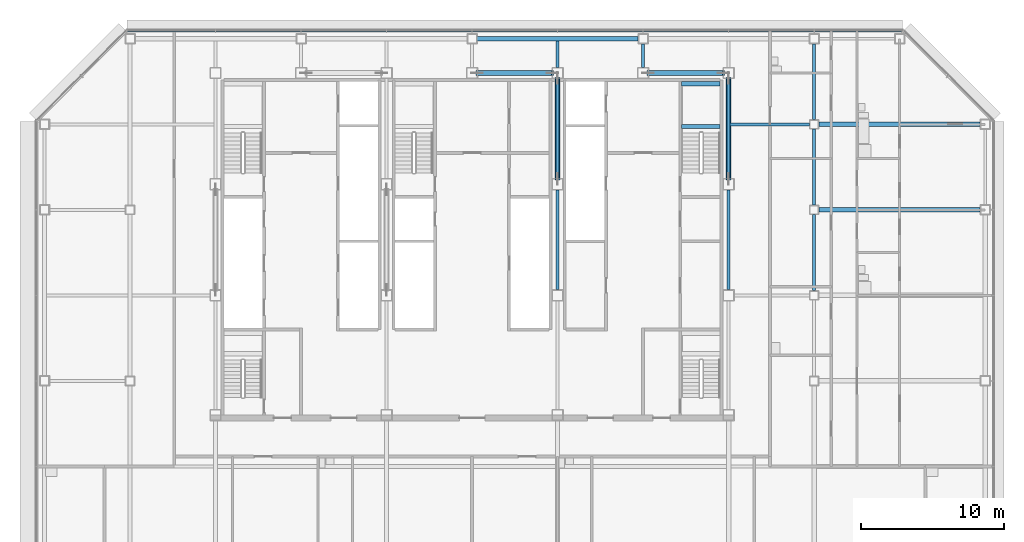
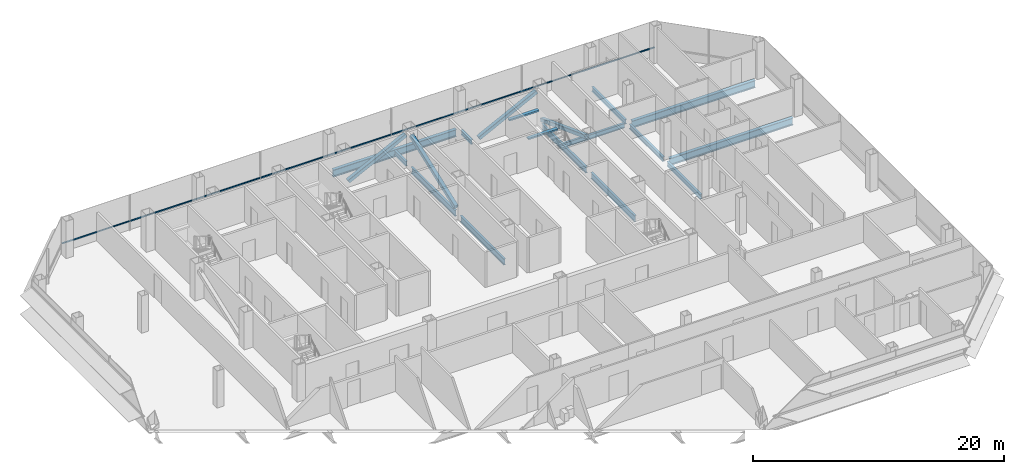
# One storey, part 13 of 26: 15 beams, 5 members, 1 element without a shape of its own.
"""IFC4 building model written with IfcOpenShell, lengths in metres."""

from ifc_helpers import new_model, si_unit, direction, frame, origin, origin_2d, place, context, subcontext, project, spatial, rectangle, hollow_rectangle, i_section, extrude, material, material_profile, profile_set, type_object, element, aggregate, save


model = new_model("IFC4")

# Units and contexts
model_context = context("Model", 3, precision=1e-05, world=origin(), true_north=direction((0.0, 1.0)))
body_context = subcontext(model_context, "Body", "Model", "MODEL_VIEW")
ifc_project = project(units=[si_unit("LENGTHUNIT", "METRE"), si_unit("AREAUNIT", "SQUARE_METRE"), si_unit("VOLUMEUNIT", "CUBIC_METRE"), si_unit("PLANEANGLEUNIT", "RADIAN"), si_unit("MASSUNIT", "GRAM", prefix="KILO")], contexts=[model_context])

# Site, building, storey
site_placement = place(None, origin())
site = spatial("IfcSite", under=ifc_project, at=site_placement, CompositionType="ELEMENT")
building_placement = place(site_placement, origin())
building = spatial("IfcBuilding", under=site, at=building_placement, Name="Sorahane Residences", CompositionType="ELEMENT")
storey_placement = place(building_placement, frame((0.0, 0.0, 151.0)))
storey = spatial("IfcBuildingStorey", under=building, at=storey_placement, Name="L34", CompositionType="ELEMENT", Elevation=151.0)

# Members
ifc_material_1 = material(Name="Steel Q355B", Category="steel")
ifc_material_profile_1 = material_profile(ifc_material_1, hollow_rectangle(XDim=0.35009765625, YDim=0.35009765625, WallThickness=0.01806640625, InnerFilletRadius=0.009033203125, OuterFilletRadius=0.027099609375, at=origin_2d()), Name="RHS 350x350x18")
ifc_profile_set_1 = profile_set([ifc_material_profile_1], Name="Steel Q355B")
member_type_1 = type_object("IfcMemberType", Name="Core brace RHS 350x350x18 Q355B", PredefinedType="BRACE", material=ifc_profile_set_1)
for number, where, z_axis, x_axis, name in (
    (1, (24.352783203125, 45.60009765625, 0.151123046875), (0.893039246852, 0.0, 0.449978781258), (0.0, 1.0, 0.0), "Core brace L34 y45.6-4"),
    (2, (36.352783203125, 45.60009765625, 0.151123046875), (0.893039246852, 0.0, 0.449978781258), (0.0, 1.0, 0.0), "Core brace L34 y45.6-6"),
):
    element("IfcMember", number, at=place(storey_placement, frame(where, z_axis=z_axis, x_axis=x_axis)), inside=storey, type_object=member_type_1, Name=name, PredefinedType="BRACE", context=body_context, shape_type="SweptSolid", body=[
        extrude(hollow_rectangle(XDim=0.35009765625, YDim=0.35009765625, WallThickness=0.01806640625, InnerFilletRadius=0.009033203125, OuterFilletRadius=0.027099609375, at=origin_2d()), origin(), (0.0, 0.0, 1.0), 5.928466796875),
    ])
for number, where, z_axis, x_axis, name in (
    (3, (42.0, 45.23681640625, 0.1611328125), (0.0, -0.93654419724, 0.350549520918), (1.0, 0.0, 0.0), "Core brace L34 x42-3"),
    (4, (30.0, 38.1630859375, 0.1611328125), (0.0, 0.93654419724, 0.350549520918), (-1.0, 0.0, 0.0), "Core brace L34 x30-2"),
):
    element("IfcMember", number, at=place(storey_placement, frame(where, z_axis=z_axis, x_axis=x_axis)), inside=storey, type_object=member_type_1, Name=name, PredefinedType="BRACE", context=body_context, shape_type="SweptSolid", body=[
        extrude(hollow_rectangle(XDim=0.35009765625, YDim=0.35009765625, WallThickness=0.01806640625, InnerFilletRadius=0.009033203125, OuterFilletRadius=0.027099609375, at=origin_2d()), origin(), (0.0, 0.0, 1.0), 7.552978515625),
    ])

# Curtain wall, member
ifc_material_2 = material(Name="Dark low-e glass and black anodised aluminium", Category="aluminium")
curtain_wall_type = type_object("IfcCurtainWallType", Name="Curtain wall CW-1 Typical unitised wall", PredefinedType="NOTDEFINED", material=ifc_material_2)
curtain_wall_placement = place(storey_placement, origin())
curtain_wall = element("IfcCurtainWall", 5, at=curtain_wall_placement, inside=storey, type_object=curtain_wall_type, Name="CW-1 curtain wall L34 N1", PredefinedType="NOTDEFINED")
ifc_material_3 = material(Name="Black anodised aluminium", Category="aluminium")
ifc_material_profile_2 = material_profile(ifc_material_3, rectangle(XDim=0.10009765625, YDim=0.06005859375, at=origin_2d()), Name="Curtain wall transom CW-1 black anodised aluminium 60x100")
ifc_profile_set_2 = profile_set([ifc_material_profile_2], Name="Black anodised aluminium")
member_type_2 = type_object("IfcMemberType", Name="Curtain wall transom CW-1 black anodised aluminium 60x100", PredefinedType="USERDEFINED", material=ifc_profile_set_2)
member_placement = place(storey_placement, frame((54.198486328125, 48.530029296875, 0.89990234375), z_axis=(-1.0, 0.0, 0.0), x_axis=(0.0, -1.0, 0.0)))
member = element("IfcMember", 6, at=member_placement, type_object=member_type_2, Name="CW-1 transom L34 N1", ObjectType="TRANSOM", PredefinedType="USERDEFINED", context=body_context, shape_type="SweptSolid", body=[
    extrude(rectangle(XDim=0.10009765625, YDim=0.06005859375, at=origin_2d()), origin(), (0.0, 0.0, 1.0), 54.39697265625),
])
aggregate(curtain_wall, [member])

# Beams
ifc_material_4 = material(Name="Concrete C40", Category="concrete")
ifc_material_profile_3 = material_profile(ifc_material_4, rectangle(XDim=0.300048828125, YDim=0.139892578125, at=origin_2d()), Name="300x140")
ifc_profile_set_3 = profile_set([ifc_material_profile_3], Name="Concrete C40")
beam_type_1 = type_object("IfcBeamType", Name="RC landing beam 300 x 140 Concrete C40", PredefinedType="BEAM", material=ifc_profile_set_3)
for number, where, z_axis, x_axis, name in (
    (7, (38.699951171875, 41.85009765625, 1.530029296875), (1.0, 0.0, 0.0), (0.0, 1.0, 0.0), "Landing beam"),
    (8, (38.699951171875, 44.85009765625, 1.530029296875), (1.0, 0.0, 0.0), (0.0, 1.0, 0.0), "Landing beam"),
):
    element("IfcBeam", number, at=place(storey_placement, frame(where, z_axis=z_axis, x_axis=x_axis)), inside=storey, type_object=beam_type_1, Name=name, PredefinedType="BEAM", context=body_context, shape_type="SweptSolid", body=[
        extrude(rectangle(XDim=0.300048828125, YDim=0.139892578125, at=origin_2d()), origin(), (0.0, 0.0, 1.0), 2.699951171875),
    ])
ifc_material_5 = material(Name="Steel Q355B", Category="steel")
ifc_material_profile_4 = material_profile(ifc_material_5, i_section(OverallWidth=0.199951171875, OverallDepth=0.449951171875, WebThickness=0.009033203125, FlangeThickness=0.013916015625, FilletRadius=0.02001953125, at=origin_2d()), Name="HN 450x200x9x14")
ifc_profile_set_4 = profile_set([ifc_material_profile_4], Name="Steel Q355B")
beam_type_2 = type_object("IfcBeamType", Name="Steel floor beam HN 450x200x9x14 Q355B", PredefinedType="BEAM", material=ifc_profile_set_4)
beam_1_placement = place(storey_placement, frame((30.0, 46.0, -0.405029296875), z_axis=(0.0, 1.0, 0.0), x_axis=(-1.0, 0.0, 0.0)))
element("IfcBeam", 9, at=beam_1_placement, inside=storey, type_object=beam_type_2, Name="Beam L34 049", PredefinedType="BEAM", context=body_context, shape_type="SweptSolid", body=[
    extrude(i_section(OverallWidth=0.199951171875, OverallDepth=0.449951171875, WebThickness=0.009033203125, FlangeThickness=0.013916015625, FilletRadius=0.02001953125, at=origin_2d()), origin(), (0.0, 0.0, 1.0), 1.85009765625),
])
beam_2_placement = place(storey_placement, frame((36.0, 46.0, -0.405029296875), z_axis=(0.0, 1.0, 0.0), x_axis=(-1.0, 0.0, 0.0)))
element("IfcBeam", 10, at=beam_2_placement, inside=storey, type_object=beam_type_2, Name="Beam L34 051", PredefinedType="BEAM", context=body_context, shape_type="SweptSolid", body=[
    extrude(i_section(OverallWidth=0.199951171875, OverallDepth=0.449951171875, WebThickness=0.009033203125, FlangeThickness=0.013916015625, FilletRadius=0.02001953125, at=origin_2d()), origin(), (0.0, 0.0, 1.0), 1.64990234375),
])
for number, where, z_axis, x_axis, name in (
    (11, (48.0, 30.324951171875, -0.405029296875), (0.0, 1.0, 0.0), (-1.0, 0.0, 0.0), "Beam L34 061"),
    (12, (48.0, 36.324951171875, -0.405029296875), (0.0, 1.0, 0.0), (-1.0, 0.0, 0.0), "Beam L34 062"),
):
    element("IfcBeam", number, at=place(storey_placement, frame(where, z_axis=z_axis, x_axis=x_axis)), inside=storey, type_object=beam_type_2, Name=name, PredefinedType="BEAM", context=body_context, shape_type="SweptSolid", body=[
        extrude(i_section(OverallWidth=0.199951171875, OverallDepth=0.449951171875, WebThickness=0.009033203125, FlangeThickness=0.013916015625, FilletRadius=0.02001953125, at=origin_2d()), origin(), (0.0, 0.0, 1.0), 5.35009765625),
    ])
beam_3_placement = place(storey_placement, frame((48.0, 42.324951171875, -0.405029296875), z_axis=(0.0, 1.0, 0.0), x_axis=(-1.0, 0.0, 0.0)))
element("IfcBeam", 13, at=beam_3_placement, inside=storey, type_object=beam_type_2, Name="Beam L34 063", PredefinedType="BEAM", context=body_context, shape_type="SweptSolid", body=[
    extrude(i_section(OverallWidth=0.199951171875, OverallDepth=0.449951171875, WebThickness=0.009033203125, FlangeThickness=0.013916015625, FilletRadius=0.02001953125, at=origin_2d()), origin(), (0.0, 0.0, 1.0), 5.324951171875),
])
beam_4_placement = place(storey_placement, frame((42.10009765625, 42.0, -0.405029296875), z_axis=(1.0, 0.0, 0.0), x_axis=(0.0, 1.0, 0.0)))
element("IfcBeam", 14, at=beam_4_placement, inside=storey, type_object=beam_type_2, Name="Beam L34 091", PredefinedType="BEAM", context=body_context, shape_type="SweptSolid", body=[
    extrude(i_section(OverallWidth=0.199951171875, OverallDepth=0.449951171875, WebThickness=0.009033203125, FlangeThickness=0.013916015625, FilletRadius=0.02001953125, at=origin_2d()), origin(), (0.0, 0.0, 1.0), 5.574951171875),
])
ifc_material_6 = material(Name="Steel Q355B", Category="steel")
ifc_material_profile_5 = material_profile(ifc_material_6, i_section(OverallWidth=0.199951171875, OverallDepth=0.60009765625, WebThickness=0.010986328125, FlangeThickness=0.01708984375, FilletRadius=0.02392578125, at=origin_2d()), Name="HN 600x200x11x17")
ifc_profile_set_5 = profile_set([ifc_material_profile_5], Name="Steel Q355B")
beam_type_3 = type_object("IfcBeamType", Name="Steel floor beam HN 600x200x11x17 Q355B", PredefinedType="BEAM", material=ifc_profile_set_5)
for number, where, z_axis, x_axis, name in (
    (15, (30.0, 30.39990234375, -0.47998046875), (0.0, 1.0, 0.0), (-1.0, 0.0, 0.0), "Beam L34 047"),
    (16, (30.0, 38.199951171875, -0.47998046875), (0.0, 1.0, 0.0), (-1.0, 0.0, 0.0), "Beam L34 048"),
    (17, (42.0, 30.39990234375, -0.47998046875), (0.0, 1.0, 0.0), (-1.0, 0.0, 0.0), "Beam L34 055"),
    (18, (42.0, 38.199951171875, -0.47998046875), (0.0, 1.0, 0.0), (-1.0, 0.0, 0.0), "Beam L34 056"),
):
    element("IfcBeam", number, at=place(storey_placement, frame(where, z_axis=z_axis, x_axis=x_axis)), inside=storey, type_object=beam_type_3, Name=name, PredefinedType="BEAM", context=body_context, shape_type="SweptSolid", body=[
        extrude(i_section(OverallWidth=0.199951171875, OverallDepth=0.60009765625, WebThickness=0.010986328125, FlangeThickness=0.01708984375, FilletRadius=0.02392578125, at=origin_2d()), origin(), (0.0, 0.0, 1.0), 7.0),
    ])
ifc_material_7 = material(Name="Steel Q355B", Category="steel")
ifc_material_profile_6 = material_profile(ifc_material_7, i_section(OverallWidth=0.300048828125, OverallDepth=0.699951171875, WebThickness=0.012939453125, FlangeThickness=0.02392578125, FilletRadius=0.028076171875, at=origin_2d()), Name="HN 700x300x13x24")
ifc_profile_set_6 = profile_set([ifc_material_profile_6], Name="Steel Q355B")
beam_type_4 = type_object("IfcBeamType", Name="Steel floor beam HN 700x300x13x24 Q355B", PredefinedType="BEAM", material=ifc_profile_set_6)
beam_5_placement = place(storey_placement, frame((48.324951171875, 36.0, -0.530029296875), z_axis=(1.0, 0.0, 0.0), x_axis=(0.0, 1.0, 0.0)))
element("IfcBeam", 19, at=beam_5_placement, inside=storey, type_object=beam_type_4, Name="Beam L34 014", PredefinedType="BEAM", context=body_context, shape_type="SweptSolid", body=[
    extrude(i_section(OverallWidth=0.300048828125, OverallDepth=0.699951171875, WebThickness=0.012939453125, FlangeThickness=0.02392578125, FilletRadius=0.028076171875, at=origin_2d()), origin(), (0.0, 0.0, 1.0), 11.324951171875),
])
beam_6_placement = place(storey_placement, frame((24.35009765625, 48.0, -0.530029296875), z_axis=(1.0, 0.0, 0.0), x_axis=(0.0, 1.0, 0.0)))
element("IfcBeam", 20, at=beam_6_placement, inside=storey, type_object=beam_type_4, Name="Beam L34 017", PredefinedType="BEAM", context=body_context, shape_type="SweptSolid", body=[
    extrude(i_section(OverallWidth=0.300048828125, OverallDepth=0.699951171875, WebThickness=0.012939453125, FlangeThickness=0.02392578125, FilletRadius=0.028076171875, at=origin_2d()), origin(), (0.0, 0.0, 1.0), 11.2998046875),
])
beam_7_placement = place(storey_placement, frame((48.324951171875, 42.0, -0.530029296875), z_axis=(1.0, 0.0, 0.0), x_axis=(0.0, 1.0, 0.0)))
element("IfcBeam", 21, at=beam_7_placement, inside=storey, type_object=beam_type_4, Name="Beam L34 092", PredefinedType="BEAM", context=body_context, shape_type="SweptSolid", body=[
    extrude(i_section(OverallWidth=0.300048828125, OverallDepth=0.699951171875, WebThickness=0.012939453125, FlangeThickness=0.02392578125, FilletRadius=0.028076171875, at=origin_2d()), origin(), (0.0, 0.0, 1.0), 11.324951171875),
])

save(model, "model.ifc")
